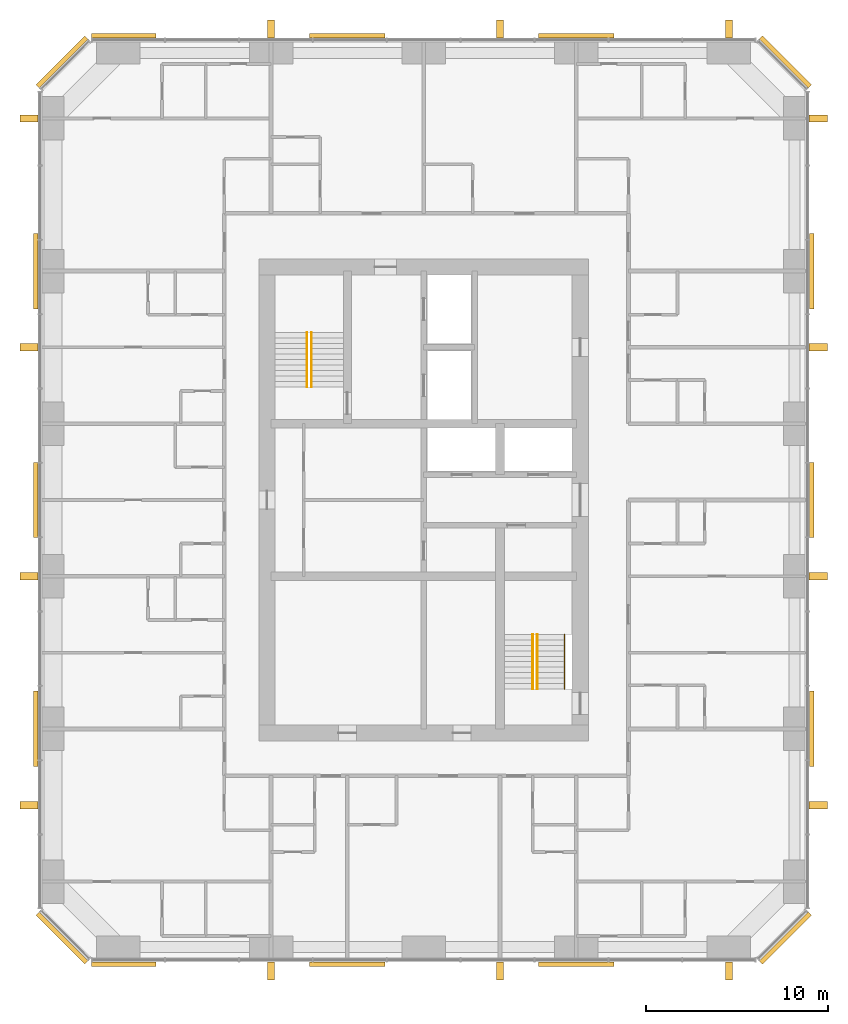
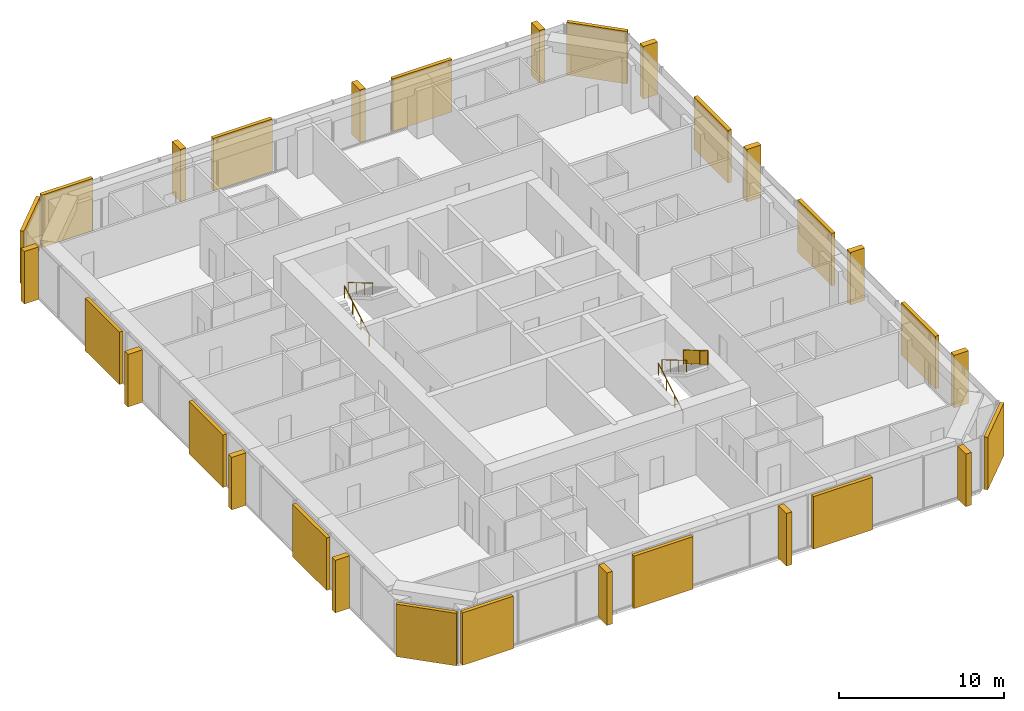
# One storey, part 12 of 12: 16 coverings, 14 shading devices, 5 railings.
"""IFC4 building model written with IfcOpenShell, lengths in metres."""

from ifc_helpers import new_model, si_unit, direction, frame, origin, origin_2d, place, context, subcontext, project, spatial, polyline, rectangle, circle, outline, extrude, material, layer, layer_set, type_object, element, save


model = new_model("IFC4")

# Units and contexts
model_context = context("Model", 3, precision=1e-05, world=origin(), true_north=direction((0.0, 1.0)))
body_context = subcontext(model_context, "Body", "Model", "MODEL_VIEW")
ifc_project = project(units=[si_unit("LENGTHUNIT", "METRE"), si_unit("AREAUNIT", "SQUARE_METRE"), si_unit("VOLUMEUNIT", "CUBIC_METRE"), si_unit("PLANEANGLEUNIT", "RADIAN"), si_unit("MASSUNIT", "GRAM", prefix="KILO")], contexts=[model_context])

# Site, building, storey
site_placement = place(None, origin())
site = spatial("IfcSite", under=ifc_project, at=site_placement, CompositionType="ELEMENT")
building_placement = place(site_placement, origin())
building = spatial("IfcBuilding", under=site, at=building_placement, Name="Dunama Terrace Hotel", CompositionType="ELEMENT")
storey_placement = place(building_placement, frame((0.0, 0.0, 233.39990234375)))
storey = spatial("IfcBuildingStorey", under=building, at=storey_placement, Name="L60", CompositionType="ELEMENT", Elevation=233.39990234375)

# Railings
ifc_material_1 = material(Name="Stainless steel and laminated glass guard", Category="steel")
railing_type_1 = type_object("IfcRailingType", Name="Guard 1100", PredefinedType="GUARDRAIL", material=ifc_material_1)
railing_1_placement = place(storey_placement, frame((41.35009765625, 22.0, 2.12744140625)))
element("IfcRailing", 1, at=railing_1_placement, inside=storey, type_object=railing_type_1, Name="Stair guard ST2 L60", PredefinedType="GUARDRAIL", context=body_context, shape_type="SweptSolid", body=[
    extrude(circle(Radius=0.02392578125, at=origin_2d()), frame((0.0, 0.0, 1.076171875), z_axis=(0.0, -0.86092931783, 0.508724591208), x_axis=(1.0, 0.0, 0.0)), (0.0, 0.0, 1.0), 3.484619140625),
    extrude(circle(Radius=0.02099609375, at=origin_2d()), origin(), (0.0, 0.0, 1.0), 1.052001953125),
    extrude(circle(Radius=0.02099609375, at=origin_2d()), frame((0.0, -1.0, 0.5908203125)), (0.0, 0.0, 1.0), 1.052001953125),
    extrude(circle(Radius=0.02099609375, at=origin_2d()), frame((0.0, -2.0, 1.181884765625)), (0.0, 0.0, 1.0), 1.052001953125),
    extrude(circle(Radius=0.02099609375, at=origin_2d()), frame((0.0, -3.0, 1.772705078125)), (0.0, 0.0, 1.0), 1.052001953125),
    extrude(outline(polyline([(0.0048828125, 0.052978515625), (0.9951171875, 0.63818359375), (0.9951171875, 1.6640625), (0.0048828125, 1.078857421875), (0.0048828125, 0.052978515625)])), frame((0.0087890625, 0.0, 0.0), z_axis=(-1.0, 0.0, 0.0), x_axis=(0.0, -1.0, 0.0)), (0.0, 0.0, 1.0), 0.017578125),
    extrude(outline(polyline([(0.0048828125, 0.052978515625), (0.9951171875, 0.63818359375), (0.9951171875, 1.6640625), (0.0048828125, 1.078857421875), (0.0048828125, 0.052978515625)])), frame((0.0087890625, -1.0, 0.5908203125), z_axis=(-1.0, 0.0, 0.0), x_axis=(0.0, -1.0, 0.0)), (0.0, 0.0, 1.0), 0.017578125),
    extrude(outline(polyline([(0.0048828125, 0.052978515625), (0.9951171875, 0.63818359375), (0.9951171875, 1.6640625), (0.0048828125, 1.078857421875), (0.0048828125, 0.052978515625)])), frame((0.0087890625, -2.0, 1.181884765625), z_axis=(-1.0, 0.0, 0.0), x_axis=(0.0, -1.0, 0.0)), (0.0, 0.0, 1.0), 0.017578125),
])
ifc_material_2 = material(Name="Stainless steel handrail", Category="steel")
railing_type_2 = type_object("IfcRailingType", Name="Stair handrail 900", PredefinedType="HANDRAIL", material=ifc_material_2)
railing_2_placement = place(storey_placement, frame((27.175048828125, 35.625, 0.177490234375)))
element("IfcRailing", 2, at=railing_2_placement, inside=storey, type_object=railing_type_2, Name="Handrail ST1 L60", PredefinedType="HANDRAIL", context=body_context, shape_type="SweptSolid", body=[
    extrude(circle(Radius=0.02392578125, at=origin_2d()), frame((0.0, 0.0, 0.8759765625), z_axis=(0.0, 0.86092931783, 0.508724591208), x_axis=(-1.0, 0.0, 0.0)), (0.0, 0.0, 1.0), 3.484619140625),
    extrude(circle(Radius=0.02099609375, at=origin_2d()), origin(), (0.0, 0.0, 1.0), 0.851806640625),
    extrude(circle(Radius=0.02099609375, at=origin_2d()), frame((0.0, 1.0, 0.5908203125)), (0.0, 0.0, 1.0), 0.851806640625),
    extrude(circle(Radius=0.02099609375, at=origin_2d()), frame((0.0, 2.0, 1.181884765625)), (0.0, 0.0, 1.0), 0.851806640625),
    extrude(circle(Radius=0.02099609375, at=origin_2d()), frame((0.0, 3.0, 1.772705078125)), (0.0, 0.0, 1.0), 0.851806640625),
])
railing_3_placement = place(storey_placement, frame((27.425048828125, 38.625, 2.12744140625)))
element("IfcRailing", 3, at=railing_3_placement, inside=storey, type_object=railing_type_2, Name="Handrail ST1 L60", PredefinedType="HANDRAIL", context=body_context, shape_type="SweptSolid", body=[
    extrude(circle(Radius=0.02392578125, at=origin_2d()), frame((0.0, 0.0, 0.8759765625), z_axis=(0.0, -0.86092931783, 0.508724591208), x_axis=(1.0, 0.0, 0.0)), (0.0, 0.0, 1.0), 3.484619140625),
    extrude(circle(Radius=0.02099609375, at=origin_2d()), origin(), (0.0, 0.0, 1.0), 0.851806640625),
    extrude(circle(Radius=0.02099609375, at=origin_2d()), frame((0.0, -1.0, 0.5908203125)), (0.0, 0.0, 1.0), 0.851806640625),
    extrude(circle(Radius=0.02099609375, at=origin_2d()), frame((0.0, -2.0, 1.181884765625)), (0.0, 0.0, 1.0), 0.851806640625),
    extrude(circle(Radius=0.02099609375, at=origin_2d()), frame((0.0, -3.0, 1.772705078125)), (0.0, 0.0, 1.0), 0.851806640625),
])
railing_4_placement = place(storey_placement, frame((39.60009765625, 19.0, 0.177490234375)))
element("IfcRailing", 4, at=railing_4_placement, inside=storey, type_object=railing_type_2, Name="Handrail ST2 L60", PredefinedType="HANDRAIL", context=body_context, shape_type="SweptSolid", body=[
    extrude(circle(Radius=0.02392578125, at=origin_2d()), frame((0.0, 0.0, 0.8759765625), z_axis=(0.0, 0.86092931783, 0.508724591208), x_axis=(-1.0, 0.0, 0.0)), (0.0, 0.0, 1.0), 3.484619140625),
    extrude(circle(Radius=0.02099609375, at=origin_2d()), origin(), (0.0, 0.0, 1.0), 0.851806640625),
    extrude(circle(Radius=0.02099609375, at=origin_2d()), frame((0.0, 1.0, 0.5908203125)), (0.0, 0.0, 1.0), 0.851806640625),
    extrude(circle(Radius=0.02099609375, at=origin_2d()), frame((0.0, 2.0, 1.181884765625)), (0.0, 0.0, 1.0), 0.851806640625),
    extrude(circle(Radius=0.02099609375, at=origin_2d()), frame((0.0, 3.0, 1.772705078125)), (0.0, 0.0, 1.0), 0.851806640625),
])
railing_5_placement = place(storey_placement, frame((39.85009765625, 22.0, 2.12744140625)))
element("IfcRailing", 5, at=railing_5_placement, inside=storey, type_object=railing_type_2, Name="Handrail ST2 L60", PredefinedType="HANDRAIL", context=body_context, shape_type="SweptSolid", body=[
    extrude(circle(Radius=0.02392578125, at=origin_2d()), frame((0.0, 0.0, 0.8759765625), z_axis=(0.0, -0.86092931783, 0.508724591208), x_axis=(1.0, 0.0, 0.0)), (0.0, 0.0, 1.0), 3.484619140625),
    extrude(circle(Radius=0.02099609375, at=origin_2d()), origin(), (0.0, 0.0, 1.0), 0.851806640625),
    extrude(circle(Radius=0.02099609375, at=origin_2d()), frame((0.0, -1.0, 0.5908203125)), (0.0, 0.0, 1.0), 0.851806640625),
    extrude(circle(Radius=0.02099609375, at=origin_2d()), frame((0.0, -2.0, 1.181884765625)), (0.0, 0.0, 1.0), 0.851806640625),
    extrude(circle(Radius=0.02099609375, at=origin_2d()), frame((0.0, -3.0, 1.772705078125)), (0.0, 0.0, 1.0), 0.851806640625),
])

# Coverings
ifc_material_3 = material(Name="Warm reconstituted stone panel", Category="masonry")
ifc_layer_1 = layer(ifc_material_3, 0.25)
ifc_layer_set_1 = layer_set([ifc_layer_1], Name="Stone diagonal panel")
covering_type = type_object("IfcCoveringType", Name="Stone diagonal panel", PredefinedType="CLADDING", material=ifc_layer_set_1)
covering_1_placement = place(storey_placement, frame((17.090087890625, 3.8369140625, 0.002197265625), z_axis=(0.0, 0.0, 1.0), x_axis=(1.0, 0.0, 0.0)))
element("IfcCovering", 6, at=covering_1_placement, inside=storey, type_object=covering_type, Name="Stone diagonal panel L60", PredefinedType="CLADDING", context=body_context, shape_type="SweptSolid", body=[
    extrude(rectangle(XDim=3.570068359375, YDim=0.25, at=origin_2d()), origin(), (0.0, 0.0, 1.0), 3.89599609375),
])
for number, where, z_axis, x_axis, name in (
    (7, (29.39990234375, 3.8369140625, 0.002197265625), (0.0, 0.0, 1.0), (1.0, 0.0, 0.0), "Stone diagonal panel L60"),
    (8, (42.0, 3.8369140625, 0.002197265625), (0.0, 0.0, 1.0), (1.0, 0.0, 0.0), "Stone diagonal panel L60"),
):
    element("IfcCovering", number, at=place(storey_placement, frame(where, z_axis=z_axis, x_axis=x_axis)), inside=storey, type_object=covering_type, Name=name, PredefinedType="CLADDING", context=body_context, shape_type="SweptSolid", body=[
        extrude(rectangle(XDim=4.14990234375, YDim=0.25, at=origin_2d()), origin(), (0.0, 0.0, 1.0), 3.89599609375),
    ])
covering_2_placement = place(storey_placement, frame((53.507080078125, 5.29296875, 0.002197265625), z_axis=(0.0, 0.0, 1.0), x_axis=(0.707106781187, 0.707106781187, 0.0)))
element("IfcCovering", 9, at=covering_2_placement, inside=storey, type_object=covering_type, Name="Stone diagonal panel L60", PredefinedType="CLADDING", context=body_context, shape_type="SweptSolid", body=[
    extrude(rectangle(XDim=3.808349609375, YDim=0.25, at=origin_2d()), origin(), (0.0, 0.0, 1.0), 3.89599609375),
])
for number, where, z_axis, x_axis, name in (
    (10, (54.962890625, 16.800048828125, 0.002197265625), (0.0, 0.0, 1.0), (0.0, 1.0, 0.0), "Stone diagonal panel L60"),
    (11, (54.962890625, 29.39990234375, 0.002197265625), (0.0, 0.0, 1.0), (0.0, 1.0, 0.0), "Stone diagonal panel L60"),
    (12, (54.962890625, 42.0, 0.002197265625), (0.0, 0.0, 1.0), (0.0, 1.0, 0.0), "Stone diagonal panel L60"),
):
    element("IfcCovering", number, at=place(storey_placement, frame(where, z_axis=z_axis, x_axis=x_axis)), inside=storey, type_object=covering_type, Name=name, PredefinedType="CLADDING", context=body_context, shape_type="SweptSolid", body=[
        extrude(rectangle(XDim=4.14990234375, YDim=0.25, at=origin_2d()), origin(), (0.0, 0.0, 1.0), 3.89599609375),
    ])
covering_3_placement = place(storey_placement, frame((53.507080078125, 53.507080078125, 0.002197265625), z_axis=(0.0, 0.0, 1.0), x_axis=(-0.707106781187, 0.707106781187, 0.0)))
element("IfcCovering", 13, at=covering_3_placement, inside=storey, type_object=covering_type, Name="Stone diagonal panel L60", PredefinedType="CLADDING", context=body_context, shape_type="SweptSolid", body=[
    extrude(rectangle(XDim=3.808349609375, YDim=0.25, at=origin_2d()), origin(), (0.0, 0.0, 1.0), 3.89599609375),
])
for number, where, z_axis, x_axis, name in (
    (14, (42.0, 54.962890625, 0.002197265625), (0.0, 0.0, 1.0), (-1.0, 0.0, 0.0), "Stone diagonal panel L60"),
    (15, (29.39990234375, 54.962890625, 0.002197265625), (0.0, 0.0, 1.0), (-1.0, 0.0, 0.0), "Stone diagonal panel L60"),
):
    element("IfcCovering", number, at=place(storey_placement, frame(where, z_axis=z_axis, x_axis=x_axis)), inside=storey, type_object=covering_type, Name=name, PredefinedType="CLADDING", context=body_context, shape_type="SweptSolid", body=[
        extrude(rectangle(XDim=4.14990234375, YDim=0.25, at=origin_2d()), origin(), (0.0, 0.0, 1.0), 3.89599609375),
    ])
covering_4_placement = place(storey_placement, frame((17.090087890625, 54.962890625, 0.002197265625), z_axis=(0.0, 0.0, 1.0), x_axis=(-1.0, 0.0, 0.0)))
element("IfcCovering", 16, at=covering_4_placement, inside=storey, type_object=covering_type, Name="Stone diagonal panel L60", PredefinedType="CLADDING", context=body_context, shape_type="SweptSolid", body=[
    extrude(rectangle(XDim=3.570068359375, YDim=0.25, at=origin_2d()), origin(), (0.0, 0.0, 1.0), 3.89599609375),
])
covering_5_placement = place(storey_placement, frame((13.693115234375, 53.507080078125, 0.002197265625), z_axis=(0.0, 0.0, 1.0), x_axis=(-0.707106781187, -0.707106781187, 0.0)))
element("IfcCovering", 17, at=covering_5_placement, inside=storey, type_object=covering_type, Name="Stone diagonal panel L60", PredefinedType="CLADDING", context=body_context, shape_type="SweptSolid", body=[
    extrude(rectangle(XDim=3.808349609375, YDim=0.25, at=origin_2d()), origin(), (0.0, 0.0, 1.0), 3.89599609375),
])
for number, where, z_axis, x_axis, name in (
    (18, (12.237060546875, 42.0, 0.002197265625), (0.0, 0.0, 1.0), (0.0, -1.0, 0.0), "Stone diagonal panel L60"),
    (19, (12.237060546875, 29.39990234375, 0.002197265625), (0.0, 0.0, 1.0), (0.0, -1.0, 0.0), "Stone diagonal panel L60"),
    (20, (12.237060546875, 16.800048828125, 0.002197265625), (0.0, 0.0, 1.0), (0.0, -1.0, 0.0), "Stone diagonal panel L60"),
):
    element("IfcCovering", number, at=place(storey_placement, frame(where, z_axis=z_axis, x_axis=x_axis)), inside=storey, type_object=covering_type, Name=name, PredefinedType="CLADDING", context=body_context, shape_type="SweptSolid", body=[
        extrude(rectangle(XDim=4.14990234375, YDim=0.25, at=origin_2d()), origin(), (0.0, 0.0, 1.0), 3.89599609375),
    ])
covering_6_placement = place(storey_placement, frame((13.693115234375, 5.29296875, 0.002197265625), z_axis=(0.0, 0.0, 1.0), x_axis=(0.707106781187, -0.707106781187, 0.0)))
element("IfcCovering", 21, at=covering_6_placement, inside=storey, type_object=covering_type, Name="Stone diagonal panel L60", PredefinedType="CLADDING", context=body_context, shape_type="SweptSolid", body=[
    extrude(rectangle(XDim=3.808349609375, YDim=0.25, at=origin_2d()), origin(), (0.0, 0.0, 1.0), 3.89599609375),
])

# Shading devices
ifc_material_4 = material(Name="Warm reconstituted stone fin", Category="masonry")
ifc_layer_2 = layer(ifc_material_4, 0.39990234375)
ifc_layer_set_2 = layer_set([ifc_layer_2], Name="Warm stone fin 400x1000")
shading_device_type = type_object("IfcShadingDeviceType", Name="Warm stone fin 400x1000", PredefinedType="USERDEFINED", material=ifc_layer_set_2)
for number, where, z_axis, x_axis, name in (
    (22, (25.199951171875, 3.48193359375, 0.000244140625), (0.0, 0.0, 1.0), (1.0, 0.0, 0.0), "Stone fin"),
    (23, (37.800048828125, 3.48193359375, 0.000244140625), (0.0, 0.0, 1.0), (1.0, 0.0, 0.0), "Stone fin"),
    (24, (50.39990234375, 3.48193359375, 0.000244140625), (0.0, 0.0, 1.0), (1.0, 0.0, 0.0), "Stone fin"),
    (25, (55.318115234375, 12.60009765625, 0.000244140625), (0.0, 0.0, 1.0), (0.0, 1.0, 0.0), "Stone fin"),
    (26, (55.318115234375, 25.199951171875, 0.000244140625), (0.0, 0.0, 1.0), (0.0, 1.0, 0.0), "Stone fin"),
    (27, (55.318115234375, 37.800048828125, 0.000244140625), (0.0, 0.0, 1.0), (0.0, 1.0, 0.0), "Stone fin"),
    (28, (55.318115234375, 50.39990234375, 0.000244140625), (0.0, 0.0, 1.0), (0.0, 1.0, 0.0), "Stone fin"),
    (29, (50.39990234375, 55.318115234375, 0.000244140625), (0.0, 0.0, 1.0), (-1.0, 0.0, 0.0), "Stone fin"),
    (30, (37.800048828125, 55.318115234375, 0.000244140625), (0.0, 0.0, 1.0), (-1.0, 0.0, 0.0), "Stone fin"),
    (31, (25.199951171875, 55.318115234375, 0.000244140625), (0.0, 0.0, 1.0), (-1.0, 0.0, 0.0), "Stone fin"),
    (32, (11.882080078125, 50.39990234375, 0.000244140625), (0.0, 0.0, 1.0), (0.0, -1.0, 0.0), "Stone fin"),
    (33, (11.882080078125, 37.800048828125, 0.000244140625), (0.0, 0.0, 1.0), (0.0, -1.0, 0.0), "Stone fin"),
    (34, (11.882080078125, 25.199951171875, 0.000244140625), (0.0, 0.0, 1.0), (0.0, -1.0, 0.0), "Stone fin"),
    (35, (11.882080078125, 12.60009765625, 0.000244140625), (0.0, 0.0, 1.0), (0.0, -1.0, 0.0), "Stone fin"),
):
    element("IfcShadingDevice", number, at=place(storey_placement, frame(where, z_axis=z_axis, x_axis=x_axis)), inside=storey, type_object=shading_device_type, Name=name, ObjectType="FIN", PredefinedType="USERDEFINED", context=body_context, shape_type="SweptSolid", body=[
        extrude(rectangle(XDim=0.39990234375, YDim=1.0, at=origin_2d()), origin(), (0.0, 0.0, 1.0), 3.89990234375),
    ])

save(model, "model.ifc")
